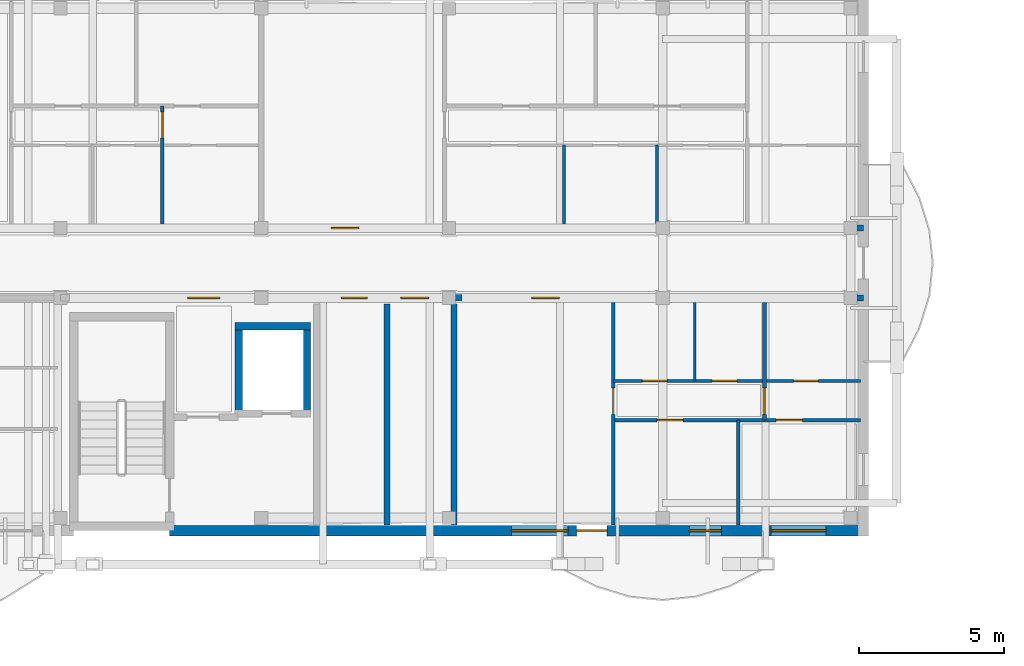
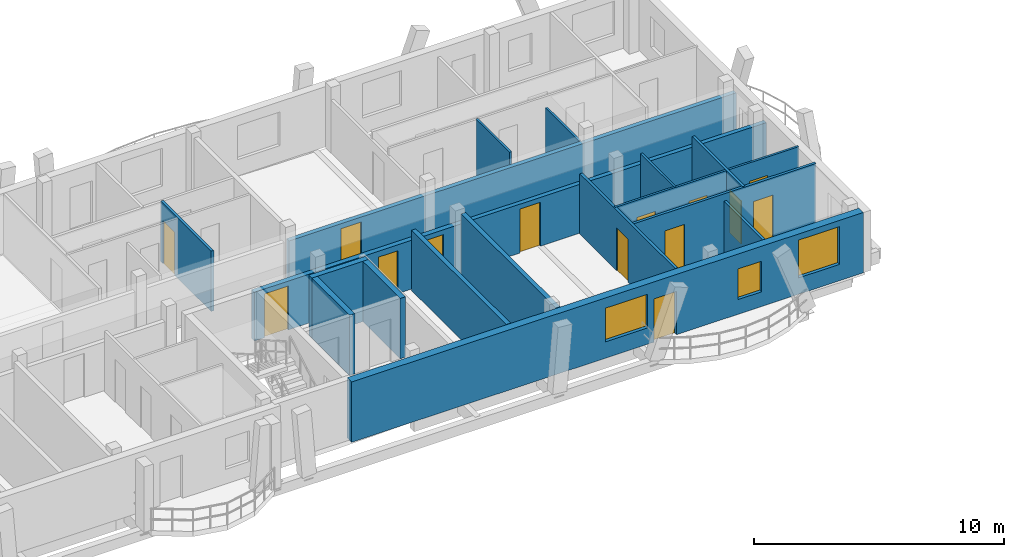
# One storey, part 24 of 48: 18 walls, 14 doors, 3 windows, 17 openings.
"""IFC4 building model written with IfcOpenShell, lengths in metres."""

import ifcopenshell
import ifcopenshell.guid

model = None  # the IFC model being written
_history = None  # IfcOwnerHistory: only IFC2X3 demands one
_inside = {}  # id of a spatial element -> (the spatial element, [elements in it])
_under = {}  # id of a project, library or spatial element -> (it, [spatial elements below it])
_declared = {}  # id of a project -> (the project, [libraries it declares])
_typed = {}  # id of a type object -> (the type object, [elements of that type])
_made_of = {}  # id of a material, layer set ... -> (it, [elements and type objects made of it])


def new_model(schema):
    """Start an empty IFC model of exactly this schema.

    Asked for "IFC4X3", IfcOpenShell would pick the latest addendum, in which some entities
    have other attributes; the version numbers below select the first issue.
    IFC2X3 requires an IfcOwnerHistory on every rooted entity: one is made here for all.
    """
    global model, _history
    if schema == "IFC4X3":
        model = ifcopenshell.file(schema_version=(4, 3, 0, 0))
    else:
        model = ifcopenshell.file(schema=schema)
    _inside.clear()
    _under.clear()
    _declared.clear()
    _typed.clear()
    _made_of.clear()
    _history = None
    if model.schema == "IFC2X3":
        org = make("IfcOrganization", Name="unknown")
        user = make(
            "IfcPersonAndOrganization",
            ThePerson=make("IfcPerson", FamilyName="unknown"),
            TheOrganization=org,
        )
        app = make(
            "IfcApplication",
            ApplicationDeveloper=org,
            Version="unknown",
            ApplicationFullName="unknown",
            ApplicationIdentifier="unknown",
        )
        _history = make(
            "IfcOwnerHistory",
            OwningUser=user,
            OwningApplication=app,
            ChangeAction="ADDED",
            CreationDate=0,
        )
    return model


def make(cls, **values):
    """One entity of the class cls with the attributes given. An attribute that is None is left unset."""
    return model.create_entity(
        cls, **{name: value for name, value in values.items() if value is not None}
    )


def rooted(cls, **values):
    """An entity with a GlobalId (a new one), such as an element, a storey or a relation."""
    return make(cls, GlobalId=ifcopenshell.guid.new(), OwnerHistory=_history, **values)


def si_unit(unit_type, name, prefix=None):
    """IfcSIUnit, for example si_unit("LENGTHUNIT", "METRE", prefix="MILLI")."""
    return make("IfcSIUnit", UnitType=unit_type, Prefix=prefix, Name=name)


def assignment(units):
    """IfcUnitAssignment: the units of a project."""
    return None if units is None else make("IfcUnitAssignment", Units=units)


def point(xyz):
    """IfcCartesianPoint."""
    return None if xyz is None else make("IfcCartesianPoint", Coordinates=xyz)


def direction(xyz):
    """IfcDirection."""
    return None if xyz is None else make("IfcDirection", DirectionRatios=xyz)


def frame(location, z_axis=None, x_axis=None):
    """IfcAxis2Placement3D, a coordinate frame: its origin and axes. An axis left out is left unset."""
    return make(
        "IfcAxis2Placement3D",
        Location=point(location),
        Axis=direction(z_axis),
        RefDirection=direction(x_axis),
    )


def frame_2d(location, x_axis=None):
    """IfcAxis2Placement2D, a coordinate frame in the plane: its origin and x axis."""
    return make(
        "IfcAxis2Placement2D", Location=point(location), RefDirection=direction(x_axis)
    )


def origin():
    """The frame at (0, 0, 0) with its axes left unset."""
    return frame((0.0, 0.0, 0.0))


def origin_with_axes():
    """The frame at (0, 0, 0) with the z axis (0, 0, 1) and the x axis (1, 0, 0) written out."""
    return frame((0.0, 0.0, 0.0), z_axis=(0.0, 0.0, 1.0), x_axis=(1.0, 0.0, 0.0))


def place(relative_to, where):
    """IfcLocalPlacement: puts the frame where relative to a parent placement (None: the world)."""
    return make(
        "IfcLocalPlacement", PlacementRelTo=relative_to, RelativePlacement=where
    )


def context(
    kind, dimensions, precision=None, world=None, true_north=None, identifier=None
):
    """IfcGeometricRepresentationContext, for example the 3D "Model" context."""
    return make(
        "IfcGeometricRepresentationContext",
        ContextIdentifier=identifier,
        ContextType=kind,
        CoordinateSpaceDimension=dimensions,
        Precision=precision,
        WorldCoordinateSystem=world,
        TrueNorth=true_north,
    )


def subcontext(parent, identifier, kind, view, scale=None):
    """IfcGeometricRepresentationSubContext, for example "Body" below "Model"."""
    return make(
        "IfcGeometricRepresentationSubContext",
        ContextIdentifier=identifier,
        ContextType=kind,
        ParentContext=parent,
        TargetScale=scale,
        TargetView=view,
    )


def project(units=None, contexts=None):
    """IfcProject with its units and contexts."""
    return rooted(
        "IfcProject",
        Name="project",
        RepresentationContexts=contexts,
        UnitsInContext=assignment(units),
    )


def spatial(cls, under=None, at=None, **own):
    """A site, building, storey or space (cls), placed at a placement, below another one or the project."""
    s = rooted(cls, ObjectPlacement=at, **own)
    if under is not None:
        _under.setdefault(under.id(), (under, []))[1].append(s)
    return s


def profile(cls, at=None, kind="AREA", **sizes):
    """A parametric profile (cls). Its sizes go by their IFC names, for example OverallWidth=200.0."""
    return make(cls, ProfileType=kind, Position=at, **sizes)


def rectangle(**sizes):
    """IfcRectangleProfileDef."""
    return profile("IfcRectangleProfileDef", **sizes)


def extrude(swept, where, along, depth):
    """IfcExtrudedAreaSolid: the profile swept, set in the frame where, extruded along a direction by depth."""
    return make(
        "IfcExtrudedAreaSolid",
        SweptArea=swept,
        Position=where,
        ExtrudedDirection=direction(along),
        Depth=depth,
    )


def shape(context_of_items, identifier, shape_type, items):
    """IfcShapeRepresentation: the items that make up one representation, for example the "Body"."""
    return make(
        "IfcShapeRepresentation",
        ContextOfItems=context_of_items,
        RepresentationIdentifier=identifier,
        RepresentationType=shape_type,
        Items=items,
    )


def material(Name=None, Category=None):
    """IfcMaterial."""
    return make("IfcMaterial", Name=Name, Category=Category)


def layer(
    of_material, thickness, ventilated=None, Name=None, Category=None, Priority=None
):
    """IfcMaterialLayer: one layer of a wall or slab, of a material (None: an air gap)."""
    return make(
        "IfcMaterialLayer",
        Material=of_material,
        LayerThickness=thickness,
        IsVentilated=ventilated,
        Name=Name,
        Category=Category,
        Priority=Priority,
    )


def layer_set(layers, Name=None):
    """IfcMaterialLayerSet."""
    return make("IfcMaterialLayerSet", MaterialLayers=layers, LayerSetName=Name)


def made_of(thing, what):
    """Note that an element or type object is made of a material, layer set ...; save() writes the relation."""
    if what is not None:
        _made_of.setdefault(what.id(), (what, []))[1].append(thing)
    return thing


def type_object(cls, material=None, **own):
    """A type object (cls), such as IfcWallType, which elements share."""
    return made_of(rooted(cls, **own), material)


def element(
    cls,
    number,
    at=None,
    inside=None,
    cuts=None,
    type_object=None,
    material=None,
    context=None,
    identifier="Body",
    shape_type=None,
    held_by="IfcProductDefinitionShape",
    body=None,
    shapes=None,
    **own,
):
    """One element of the class cls, such as IfcWall. Its Tag is "e" and its number.

    at: its placement. inside: the storey or other place that contains it. cuts: it is an
    opening in that element (IfcRelVoidsElement). A single representation is given by context,
    identifier, shape_type and body (its items); several are given by shapes. held_by: the class
    of the entity that holds the representations. save() writes the other relations.
    """
    e = rooted(cls, Tag="e%d" % number, ObjectPlacement=at, **own)
    if body is not None:
        shapes = [shape(context, identifier, shape_type, body)]
    if shapes is not None:
        e.Representation = make(held_by, Representations=shapes)
    if inside is not None:
        _inside.setdefault(inside.id(), (inside, []))[1].append(e)
    if cuts is not None:
        rooted(
            "IfcRelVoidsElement", RelatingBuildingElement=cuts, RelatedOpeningElement=e
        )
    if type_object is not None:
        _typed.setdefault(type_object.id(), (type_object, []))[1].append(e)
    return made_of(e, material)


def fill(opening, filler):
    """IfcRelFillsElement: the door or window that sits in an opening."""
    return rooted(
        "IfcRelFillsElement",
        RelatingOpeningElement=opening,
        RelatedBuildingElement=filler,
    )


def aggregate(whole, parts):
    """IfcRelAggregates: a whole, such as a stair, and the parts it consists of."""
    return rooted("IfcRelAggregates", RelatingObject=whole, RelatedObjects=parts)


def save(model, path):
    """Write the relations noted so far, then the file.

    IfcRelAggregates (storeys below a building ...), IfcRelContainedInSpatialStructure (elements
    in a storey), IfcRelDefinesByType, IfcRelAssociatesMaterial and IfcRelDeclares: one each for
    every whole, place, type object, material and project.
    """
    for whole, parts in _under.values():
        aggregate(whole, parts)
    for where, things in _inside.values():
        rooted(
            "IfcRelContainedInSpatialStructure",
            RelatedElements=things,
            RelatingStructure=where,
        )
    for kind, things in _typed.values():
        rooted("IfcRelDefinesByType", RelatedObjects=things, RelatingType=kind)
    for what, things in _made_of.values():
        rooted("IfcRelAssociatesMaterial", RelatedObjects=things, RelatingMaterial=what)
    for by, libraries in _declared.values():
        rooted("IfcRelDeclares", RelatingContext=by, RelatedDefinitions=libraries)
    model.write(path)


model = new_model("IFC4")

# Units and contexts
model_context = context("Model", 3, precision=1e-05, world=origin(), true_north=direction((0.0, 1.0)))
body_context = subcontext(model_context, "Body", "Model", "MODEL_VIEW")
ifc_project = project(units=[si_unit("LENGTHUNIT", "METRE"), si_unit("AREAUNIT", "SQUARE_METRE"), si_unit("VOLUMEUNIT", "CUBIC_METRE"), si_unit("PLANEANGLEUNIT", "RADIAN"), si_unit("MASSUNIT", "GRAM", prefix="KILO")], contexts=[model_context])

# Site, building, storey
site_placement = place(None, origin())
site = spatial("IfcSite", under=ifc_project, at=site_placement, CompositionType="ELEMENT")
building_placement = place(site_placement, origin())
building = spatial("IfcBuilding", under=site, at=building_placement, Name="Zavelmont Quarter", CompositionType="ELEMENT")
storey_placement = place(building_placement, frame((0.0, 0.0, 17.60009765625)))
storey = spatial("IfcBuildingStorey", under=building, at=storey_placement, Name="L05", CompositionType="ELEMENT", Elevation=17.60009765625)

# Wall, openings, door, windows
ifc_material_1 = material(Name="Natural Belgian limestone", Category="masonry")
ifc_layer_1 = layer(ifc_material_1, 0.360107421875)
ifc_layer_set_1 = layer_set([ifc_layer_1], Name="Natural Belgian limestone")
wall_type_1 = type_object("IfcWallType", Name="EW02", PredefinedType="STANDARD", material=ifc_layer_set_1)
wall_1_placement = place(storey_placement, frame((31.35009765625, 97.60009765625, 0.0), z_axis=(0.0, 0.0, 1.0), x_axis=(1.0, 0.0, 0.0)))
wall_1 = element("IfcWall", 1, at=wall_1_placement, inside=storey, type_object=wall_type_1, Name="L05 exterior limestone wall EW02", PredefinedType="STANDARD", context=body_context, shape_type="SweptSolid", body=[
    extrude(rectangle(XDim=23.679931640625, YDim=0.360107421875, at=frame_2d((11.83984375, 0.0))), origin(), (0.0, 0.0, 1.0), 2.949951171875),
])
opening_1_placement = place(wall_1_placement, frame((13.986328125, 0.0, 0.0)))
opening_1 = element("IfcOpeningElement", 2, at=opening_1_placement, cuts=wall_1, Name="Opening DR04A", PredefinedType="OPENING", context=body_context, shape_type="SweptSolid", body=[
    extrude(rectangle(XDim=1.050048828125, YDim=2.1201171875, at=frame_2d((0.52490234375, 1.06005859375))), frame((0.0, 0.19189453125, 0.0), z_axis=(0.0, -1.0, 0.0), x_axis=(1.0, 0.0, 0.0)), (0.0, 0.0, 1.0), 0.384033203125),
])
opening_2_placement = place(wall_1_placement, frame((11.7451171875, 0.0, 0.800048828125)))
opening_2 = element("IfcOpeningElement", 3, at=opening_2_placement, cuts=wall_1, Name="Opening WN24", PredefinedType="OPENING", context=body_context, shape_type="SweptSolid", body=[
    extrude(rectangle(XDim=1.949951171875, YDim=1.64990234375, at=frame_2d((0.97509765625, 0.824951171875))), frame((0.0, 0.19189453125, 0.0), z_axis=(0.0, -1.0, 0.0), x_axis=(1.0, 0.0, 0.0)), (0.0, 0.0, 1.0), 0.384033203125),
])
opening_3_placement = place(wall_1_placement, frame((17.8701171875, 0.0, 0.719970703125)))
opening_3 = element("IfcOpeningElement", 4, at=opening_3_placement, cuts=wall_1, Name="Opening WN09", PredefinedType="OPENING", context=body_context, shape_type="SweptSolid", body=[
    extrude(rectangle(XDim=1.10009765625, YDim=1.5, at=frame_2d((0.550048828125, 0.75))), frame((0.0, 0.19189453125, 0.0), z_axis=(0.0, -1.0, 0.0), x_axis=(1.0, 0.0, 0.0)), (0.0, 0.0, 1.0), 0.384033203125),
])
opening_4_placement = place(wall_1_placement, frame((20.669921875, 0.0, 0.800048828125)))
opening_4 = element("IfcOpeningElement", 5, at=opening_4_placement, cuts=wall_1, Name="Opening WN20", PredefinedType="OPENING", context=body_context, shape_type="SweptSolid", body=[
    extrude(rectangle(XDim=1.89990234375, YDim=1.85009765625, at=frame_2d((0.949951171875, 0.925048828125))), frame((0.0, 0.19189453125, 0.0), z_axis=(0.0, -1.0, 0.0), x_axis=(1.0, 0.0, 0.0)), (0.0, 0.0, 1.0), 0.384033203125),
])
ifc_material_2 = material(Name="Thermally broken aluminium and double safety glass", Category="aluminium")
door_type_1 = type_object("IfcDoorType", Name="DR04A", OperationType="NOTDEFINED", PredefinedType="DOOR", material=ifc_material_2)
door_1_placement = place(opening_1_placement, origin_with_axes())
door_1 = element("IfcDoor", 6, at=door_1_placement, inside=storey, type_object=door_type_1, Name="Block B L05 glazed balcony door", OperationType="SINGLE_SWING_RIGHT", OverallHeight=2.1201171875, OverallWidth=1.050048828125, PredefinedType="DOOR", context=body_context, shape_type="SweptSolid", body=[
    extrude(rectangle(XDim=1.050048828125, YDim=2.1201171875, at=frame_2d((0.52490234375, 1.06005859375))), frame((0.0, 0.02490234375, 0.0), z_axis=(0.0, -1.0, 0.0), x_axis=(1.0, 0.0, 0.0)), (0.0, 0.0, 1.0), 0.050048828125),
])
fill(opening_1, door_1)
ifc_material_3 = material(Name="Double low-E insulated glazing in thermally broken aluminium frame", Category="aluminium")
window_type_1 = type_object("IfcWindowType", Name="WN09", PartitioningType="SINGLE_PANEL", PredefinedType="WINDOW", material=ifc_material_3)
window_1_placement = place(opening_3_placement, origin_with_axes())
window_1 = element("IfcWindow", 7, at=window_1_placement, inside=storey, type_object=window_type_1, Name="L05 window WN09", OverallHeight=1.5, OverallWidth=1.10009765625, PartitioningType="SINGLE_PANEL", PredefinedType="WINDOW", context=body_context, shape_type="SweptSolid", body=[
    extrude(rectangle(XDim=1.10009765625, YDim=1.5, at=frame_2d((0.550048828125, 0.75))), frame((0.0, 0.030029296875, 0.0), z_axis=(0.0, -1.0, 0.0), x_axis=(1.0, 0.0, 0.0)), (0.0, 0.0, 1.0), 0.06005859375),
])
fill(opening_3, window_1)
window_type_2 = type_object("IfcWindowType", Name="WN20", PartitioningType="SINGLE_PANEL", PredefinedType="WINDOW", material=ifc_material_3)
window_2_placement = place(opening_4_placement, origin_with_axes())
window_2 = element("IfcWindow", 8, at=window_2_placement, inside=storey, type_object=window_type_2, Name="L05 window WN20", OverallHeight=1.85009765625, OverallWidth=1.89990234375, PartitioningType="SINGLE_PANEL", PredefinedType="WINDOW", context=body_context, shape_type="SweptSolid", body=[
    extrude(rectangle(XDim=1.89990234375, YDim=1.85009765625, at=frame_2d((0.949951171875, 0.925048828125))), frame((0.0, 0.030029296875, 0.0), z_axis=(0.0, -1.0, 0.0), x_axis=(1.0, 0.0, 0.0)), (0.0, 0.0, 1.0), 0.06005859375),
])
fill(opening_4, window_2)
window_type_3 = type_object("IfcWindowType", Name="WN24", PartitioningType="SINGLE_PANEL", PredefinedType="WINDOW", material=ifc_material_3)
window_3_placement = place(opening_2_placement, origin_with_axes())
window_3 = element("IfcWindow", 9, at=window_3_placement, inside=storey, type_object=window_type_3, Name="L05 window WN24", OverallHeight=1.64990234375, OverallWidth=1.949951171875, PartitioningType="SINGLE_PANEL", PredefinedType="WINDOW", context=body_context, shape_type="SweptSolid", body=[
    extrude(rectangle(XDim=1.949951171875, YDim=1.64990234375, at=frame_2d((0.97509765625, 0.824951171875))), frame((0.0, 0.030029296875, 0.0), z_axis=(0.0, -1.0, 0.0), x_axis=(1.0, 0.0, 0.0)), (0.0, 0.0, 1.0), 0.06005859375),
])
fill(opening_2, window_3)

# Walls
ifc_material_4 = material(Name="Calcium-silicate blockwork and acoustic plaster", Category="masonry")
ifc_layer_2 = layer(ifc_material_4, 0.199951171875)
ifc_layer_set_2 = layer_set([ifc_layer_2], Name="Calcium-silicate blockwork and acoustic plaster")
wall_type_2 = type_object("IfcWallType", Name="IW01", PredefinedType="PARTITIONING", material=ifc_layer_set_2)
for number, where, z_axis, x_axis, name in (
    (10, (38.824951171875, 97.800048828125, 0.0), (0.0, 0.0, 1.0), (0.0, 1.0, 0.0), "L05 Service riser divider wall IW01"),
    (11, (41.1201171875, 97.800048828125, 0.0), (0.0, 0.0, 1.0), (0.0, 1.0, 0.0), "L05 Core service end wall IW01"),
):
    element("IfcWall", number, at=place(storey_placement, frame(where, z_axis=z_axis, x_axis=x_axis)), inside=storey, type_object=wall_type_2, Name=name, PredefinedType="PARTITIONING", context=body_context, shape_type="SweptSolid", body=[
        extrude(rectangle(XDim=7.599853515625, YDim=0.199951171875, at=frame_2d((3.7998046875, 0.0))), origin(), (0.0, 0.0, 1.0), 2.949951171875),
    ])

# Wall, opening, door
wall_2_placement = place(storey_placement, frame((34.5, 108.0, 0.0), z_axis=(0.0, 0.0, 1.0), x_axis=(1.0, 0.0, 0.0)))
wall_2 = element("IfcWall", 12, at=wall_2_placement, inside=storey, type_object=wall_type_2, Name="L05 Corridor compartment wall IW01", PredefinedType="PARTITIONING", context=body_context, shape_type="SweptSolid", body=[
    extrude(rectangle(XDim=20.699951171875, YDim=0.199951171875, at=frame_2d((10.35009765625, 0.0))), origin(), (0.0, 0.0, 1.0), 2.389892578125),
])
opening_5_placement = place(wall_2_placement, frame((2.39990234375, 0.0, 0.0)))
opening_5 = element("IfcOpeningElement", 13, at=opening_5_placement, cuts=wall_2, Name="Opening DR02", PredefinedType="OPENING", context=body_context, shape_type="SweptSolid", body=[
    extrude(rectangle(XDim=0.949951171875, YDim=2.14990234375, at=frame_2d((0.47509765625, 1.074951171875))), frame((0.0, 0.11181640625, 0.0), z_axis=(0.0, -1.0, 0.0), x_axis=(1.0, 0.0, 0.0)), (0.0, 0.0, 1.0), 0.223876953125),
])
ifc_material_5 = material(Name="Solid-core oak fire leaf in steel frame", Category="steel")
door_type_2 = type_object("IfcDoorType", Name="DR02", OperationType="NOTDEFINED", PredefinedType="DOOR", material=ifc_material_5)
door_2_placement = place(opening_5_placement, origin_with_axes())
door_2 = element("IfcDoor", 14, at=door_2_placement, inside=storey, type_object=door_type_2, Name="L05 door DR02", OperationType="SINGLE_SWING_RIGHT", OverallHeight=2.14990234375, OverallWidth=0.949951171875, PredefinedType="DOOR", context=body_context, shape_type="SweptSolid", body=[
    extrude(rectangle(XDim=0.949951171875, YDim=2.14990234375, at=frame_2d((0.47509765625, 1.074951171875))), frame((0.0, 0.02490234375, 0.0), z_axis=(0.0, -1.0, 0.0), x_axis=(1.0, 0.0, 0.0)), (0.0, 0.0, 1.0), 0.050048828125),
])
fill(opening_5, door_2)

wall_3_placement = place(storey_placement, frame((41.39990234375, 105.60009765625, 0.0), z_axis=(0.0, 0.0, 1.0), x_axis=(1.0, 0.0, 0.0)))
wall_3 = element("IfcWall", 15, at=wall_3_placement, inside=storey, type_object=wall_type_2, Name="L05 Corridor compartment wall IW01", PredefinedType="PARTITIONING", context=body_context, shape_type="SweptSolid", body=[
    extrude(rectangle(XDim=13.800048828125, YDim=0.199951171875, at=frame_2d((6.89990234375, 0.0))), origin(), (0.0, 0.0, 1.0), 2.389892578125),
])
opening_6_placement = place(wall_3_placement, frame((2.39990234375, 0.0, 0.0)))
opening_6 = element("IfcOpeningElement", 16, at=opening_6_placement, cuts=wall_3, Name="Opening DR02", PredefinedType="OPENING", context=body_context, shape_type="SweptSolid", body=[
    extrude(rectangle(XDim=0.949951171875, YDim=2.14990234375, at=frame_2d((0.47509765625, 1.074951171875))), frame((0.0, 0.11181640625, 0.0), z_axis=(0.0, -1.0, 0.0), x_axis=(1.0, 0.0, 0.0)), (0.0, 0.0, 1.0), 0.223876953125),
])
door_3_placement = place(opening_6_placement, frame((0.949951171875, 0.0, 0.0), z_axis=(0.0, 0.0, 1.0), x_axis=(-1.0, 0.0, 0.0)))
door_3 = element("IfcDoor", 17, at=door_3_placement, inside=storey, type_object=door_type_2, Name="L05 door DR02", OperationType="SINGLE_SWING_RIGHT", OverallHeight=2.14990234375, OverallWidth=0.949951171875, PredefinedType="DOOR", context=body_context, shape_type="SweptSolid", body=[
    extrude(rectangle(XDim=0.949951171875, YDim=2.14990234375, at=frame_2d((0.47509765625, 1.074951171875))), frame((0.0, 0.02490234375, 0.0), z_axis=(0.0, -1.0, 0.0), x_axis=(1.0, 0.0, 0.0)), (0.0, 0.0, 1.0), 0.050048828125),
])
fill(opening_6, door_3)

# Wall, openings, doors
ifc_material_6 = material(Name="Reinforced masonry fire compartment wall", Category="masonry")
ifc_layer_3 = layer(ifc_material_6, 0.22509765625)
ifc_layer_set_3 = layer_set([ifc_layer_3], Name="Reinforced masonry fire compartment wall")
wall_type_3 = type_object("IfcWallType", Name="IW02", PredefinedType="PARTITIONING", material=ifc_layer_set_3)
wall_4_placement = place(storey_placement, frame((31.5, 105.60009765625, 0.0), z_axis=(0.0, 0.0, 1.0), x_axis=(1.0, 0.0, 0.0)))
wall_4 = element("IfcWall", 18, at=wall_4_placement, inside=storey, type_object=wall_type_3, Name="L05 Core corridor fire wall IW02", PredefinedType="PARTITIONING", context=body_context, shape_type="SweptSolid", body=[
    extrude(rectangle(XDim=9.89990234375, YDim=0.22509765625, at=frame_2d((4.949951171875, 0.0))), origin(), (0.0, 0.0, 1.0), 2.389892578125),
])
opening_7_placement = place(wall_4_placement, frame((0.47509765625, 0.0, 0.0)))
opening_7 = element("IfcOpeningElement", 19, at=opening_7_placement, cuts=wall_4, Name="Opening DR10", PredefinedType="OPENING", context=body_context, shape_type="SweptSolid", body=[
    extrude(rectangle(XDim=1.10009765625, YDim=2.14990234375, at=frame_2d((0.550048828125, 1.074951171875))), frame((0.0, 0.12451171875, 0.0), z_axis=(0.0, -1.0, 0.0), x_axis=(1.0, 0.0, 0.0)), (0.0, 0.0, 1.0), 0.2490234375),
])
opening_8_placement = place(wall_4_placement, frame((5.75, 0.0, 0.0)))
opening_8 = element("IfcOpeningElement", 20, at=opening_8_placement, cuts=wall_4, Name="Opening DR11", PredefinedType="OPENING", context=body_context, shape_type="SweptSolid", body=[
    extrude(rectangle(XDim=0.89990234375, YDim=2.10009765625, at=frame_2d((0.449951171875, 1.050048828125))), frame((0.0, 0.12451171875, 0.0), z_axis=(0.0, -1.0, 0.0), x_axis=(1.0, 0.0, 0.0)), (0.0, 0.0, 1.0), 0.2490234375),
])
opening_9_placement = place(wall_4_placement, frame((7.800048828125, 0.0, 0.0)))
opening_9 = element("IfcOpeningElement", 21, at=opening_9_placement, cuts=wall_4, Name="Opening DR02", PredefinedType="OPENING", context=body_context, shape_type="SweptSolid", body=[
    extrude(rectangle(XDim=0.949951171875, YDim=2.14990234375, at=frame_2d((0.47509765625, 1.074951171875))), frame((0.0, 0.12451171875, 0.0), z_axis=(0.0, -1.0, 0.0), x_axis=(1.0, 0.0, 0.0)), (0.0, 0.0, 1.0), 0.2490234375),
])
door_4_placement = place(opening_9_placement, origin_with_axes())
door_4 = element("IfcDoor", 22, at=door_4_placement, inside=storey, type_object=door_type_2, Name="Auxiliary store corridor door", OperationType="SINGLE_SWING_RIGHT", OverallHeight=2.14990234375, OverallWidth=0.949951171875, PredefinedType="DOOR", context=body_context, shape_type="SweptSolid", body=[
    extrude(rectangle(XDim=0.949951171875, YDim=2.14990234375, at=frame_2d((0.47509765625, 1.074951171875))), frame((0.0, 0.02490234375, 0.0), z_axis=(0.0, -1.0, 0.0), x_axis=(1.0, 0.0, 0.0)), (0.0, 0.0, 1.0), 0.050048828125),
])
fill(opening_9, door_4)
ifc_material_7 = material(Name="Painted steel lobby fire door", Category="steel")
door_type_3 = type_object("IfcDoorType", Name="DR10", OperationType="NOTDEFINED", PredefinedType="DOOR", material=ifc_material_7)
door_5_placement = place(opening_7_placement, frame((1.10009765625, 0.0, 0.0), z_axis=(0.0, 0.0, 1.0), x_axis=(-1.0, 0.0, 0.0)))
door_5 = element("IfcDoor", 23, at=door_5_placement, inside=storey, type_object=door_type_3, Name="Core vestibule fire door", OperationType="SINGLE_SWING_LEFT", OverallHeight=2.14990234375, OverallWidth=1.10009765625, PredefinedType="DOOR", context=body_context, shape_type="SweptSolid", body=[
    extrude(rectangle(XDim=1.10009765625, YDim=2.14990234375, at=frame_2d((0.550048828125, 1.074951171875))), frame((0.0, 0.02490234375, 0.0), z_axis=(0.0, -1.0, 0.0), x_axis=(1.0, 0.0, 0.0)), (0.0, 0.0, 1.0), 0.050048828125),
])
fill(opening_7, door_5)
ifc_material_8 = material(Name="Painted steel service-riser fire door", Category="steel")
door_type_4 = type_object("IfcDoorType", Name="DR11", OperationType="NOTDEFINED", PredefinedType="DOOR", material=ifc_material_8)
door_6_placement = place(opening_8_placement, origin_with_axes())
door_6 = element("IfcDoor", 24, at=door_6_placement, inside=storey, type_object=door_type_4, Name="Service riser fire door", OperationType="SINGLE_SWING_LEFT", OverallHeight=2.10009765625, OverallWidth=0.89990234375, PredefinedType="DOOR", context=body_context, shape_type="SweptSolid", body=[
    extrude(rectangle(XDim=0.89990234375, YDim=2.10009765625, at=frame_2d((0.449951171875, 1.050048828125))), frame((0.0, 0.02490234375, 0.0), z_axis=(0.0, -1.0, 0.0), x_axis=(1.0, 0.0, 0.0)), (0.0, 0.0, 1.0), 0.050048828125),
])
fill(opening_8, door_6)

# Wall, opening, door
ifc_material_9 = material(Name="Double gypsum board on acoustic steel stud", Category="steel")
ifc_layer_4 = layer(ifc_material_9, 0.125)
ifc_layer_set_4 = layer_set([ifc_layer_4], Name="Double gypsum board on acoustic steel stud")
wall_type_4 = type_object("IfcWallType", Name="IW03", PredefinedType="PARTITIONING", material=ifc_layer_set_4)
wall_5_placement = place(storey_placement, frame((31.10009765625, 108.14990234375, 0.0), z_axis=(0.0, 0.0, 1.0), x_axis=(0.0, 1.0, 0.0)))
wall_5 = element("IfcWall", 25, at=wall_5_placement, inside=storey, type_object=wall_type_4, Name="L05 Partition IW03", PredefinedType="PARTITIONING", context=body_context, shape_type="SweptSolid", body=[
    extrude(rectangle(XDim=4.050048828125, YDim=0.125, at=frame_2d((2.02490234375, 0.0))), origin(), (0.0, 0.0, 1.0), 2.949951171875),
])
opening_10_placement = place(wall_5_placement, frame((2.949951171875, 0.0, 0.0)))
opening_10 = element("IfcOpeningElement", 26, at=opening_10_placement, cuts=wall_5, Name="Opening DR05", PredefinedType="OPENING", context=body_context, shape_type="SweptSolid", body=[
    extrude(rectangle(XDim=0.89990234375, YDim=2.10009765625, at=frame_2d((0.449951171875, 1.050048828125))), frame((0.0, 0.074462890625, 0.0), z_axis=(0.0, -1.0, 0.0), x_axis=(1.0, 0.0, 0.0)), (0.0, 0.0, 1.0), 0.14892578125),
])
ifc_material_10 = material(Name="Engineered oak flush interior door")
door_type_5 = type_object("IfcDoorType", Name="DR05", OperationType="NOTDEFINED", PredefinedType="DOOR", material=ifc_material_10)
door_7_placement = place(opening_10_placement, origin_with_axes())
door_7 = element("IfcDoor", 27, at=door_7_placement, inside=storey, type_object=door_type_5, Name="L05 door DR05", OperationType="SINGLE_SWING_RIGHT", OverallHeight=2.10009765625, OverallWidth=0.89990234375, PredefinedType="DOOR", context=body_context, shape_type="SweptSolid", body=[
    extrude(rectangle(XDim=0.89990234375, YDim=2.10009765625, at=frame_2d((0.449951171875, 1.050048828125))), frame((0.0, 0.02490234375, 0.0), z_axis=(0.0, -1.0, 0.0), x_axis=(1.0, 0.0, 0.0)), (0.0, 0.0, 1.0), 0.050048828125),
])
fill(opening_10, door_7)

wall_6_placement = place(storey_placement, frame((46.60009765625, 105.449951171875, 0.0), z_axis=(0.0, 0.0, 1.0), x_axis=(0.0, -1.0, 0.0)))
wall_6 = element("IfcWall", 28, at=wall_6_placement, inside=storey, type_object=wall_type_4, Name="L05 Partition IW03", PredefinedType="PARTITIONING", context=body_context, shape_type="SweptSolid", body=[
    extrude(rectangle(XDim=7.64990234375, YDim=0.125, at=frame_2d((3.824951171875, 0.0))), origin(), (0.0, 0.0, 1.0), 2.949951171875),
])
opening_11_placement = place(wall_6_placement, frame((2.949951171875, 0.0, 0.0)))
opening_11 = element("IfcOpeningElement", 29, at=opening_11_placement, cuts=wall_6, Name="Opening DR05", PredefinedType="OPENING", context=body_context, shape_type="SweptSolid", body=[
    extrude(rectangle(XDim=0.89990234375, YDim=2.10009765625, at=frame_2d((0.449951171875, 1.050048828125))), frame((0.0, 0.074462890625, 0.0), z_axis=(0.0, -1.0, 0.0), x_axis=(1.0, 0.0, 0.0)), (0.0, 0.0, 1.0), 0.14892578125),
])
door_8_placement = place(opening_11_placement, origin_with_axes())
door_8 = element("IfcDoor", 30, at=door_8_placement, inside=storey, type_object=door_type_5, Name="L05 door DR05", OperationType="SINGLE_SWING_RIGHT", OverallHeight=2.10009765625, OverallWidth=0.89990234375, PredefinedType="DOOR", context=body_context, shape_type="SweptSolid", body=[
    extrude(rectangle(XDim=0.89990234375, YDim=2.10009765625, at=frame_2d((0.449951171875, 1.050048828125))), frame((0.0, 0.02490234375, 0.0), z_axis=(0.0, -1.0, 0.0), x_axis=(1.0, 0.0, 0.0)), (0.0, 0.0, 1.0), 0.050048828125),
])
fill(opening_11, door_8)

wall_7_placement = place(storey_placement, frame((51.800048828125, 105.449951171875, 0.0), z_axis=(0.0, 0.0, 1.0), x_axis=(0.0, -1.0, 0.0)))
wall_7 = element("IfcWall", 31, at=wall_7_placement, inside=storey, type_object=wall_type_4, Name="L05 Partition IW03", PredefinedType="PARTITIONING", context=body_context, shape_type="SweptSolid", body=[
    extrude(rectangle(XDim=4.050048828125, YDim=0.125, at=frame_2d((2.02490234375, 0.0))), origin(), (0.0, 0.0, 1.0), 2.949951171875),
])
opening_12_placement = place(wall_7_placement, frame((2.949951171875, 0.0, 0.0)))
opening_12 = element("IfcOpeningElement", 32, at=opening_12_placement, cuts=wall_7, Name="Opening DR05", PredefinedType="OPENING", context=body_context, shape_type="SweptSolid", body=[
    extrude(rectangle(XDim=0.89990234375, YDim=2.10009765625, at=frame_2d((0.449951171875, 1.050048828125))), frame((0.0, 0.074462890625, 0.0), z_axis=(0.0, -1.0, 0.0), x_axis=(1.0, 0.0, 0.0)), (0.0, 0.0, 1.0), 0.14892578125),
])
door_9_placement = place(opening_12_placement, frame((0.89990234375, 0.0, 0.0), z_axis=(0.0, 0.0, 1.0), x_axis=(-1.0, 0.0, 0.0)))
door_9 = element("IfcDoor", 33, at=door_9_placement, inside=storey, type_object=door_type_5, Name="L05 door DR05", OperationType="SINGLE_SWING_LEFT", OverallHeight=2.10009765625, OverallWidth=0.89990234375, PredefinedType="DOOR", context=body_context, shape_type="SweptSolid", body=[
    extrude(rectangle(XDim=0.89990234375, YDim=2.10009765625, at=frame_2d((0.449951171875, 1.050048828125))), frame((0.0, 0.02490234375, 0.0), z_axis=(0.0, -1.0, 0.0), x_axis=(1.0, 0.0, 0.0)), (0.0, 0.0, 1.0), 0.050048828125),
])
fill(opening_12, door_9)

# Wall
wall_8_placement = place(storey_placement, frame((50.89990234375, 101.39990234375, 0.0), z_axis=(0.0, 0.0, 1.0), x_axis=(0.0, -1.0, 0.0)))
element("IfcWall", 34, at=wall_8_placement, inside=storey, type_object=wall_type_4, Name="L05 Partition IW03", PredefinedType="PARTITIONING", context=body_context, shape_type="SweptSolid", body=[
    extrude(rectangle(XDim=3.599853515625, YDim=0.125, at=frame_2d((1.7998046875, 0.0))), origin(), (0.0, 0.0, 1.0), 2.58984375),
])

# Wall, openings, doors
wall_9_placement = place(storey_placement, frame((46.60009765625, 101.39990234375, 0.0), z_axis=(0.0, 0.0, 1.0), x_axis=(1.0, 0.0, 0.0)))
wall_9 = element("IfcWall", 35, at=wall_9_placement, inside=storey, type_object=wall_type_4, Name="L05 Partition IW03", PredefinedType="PARTITIONING", context=body_context, shape_type="SweptSolid", body=[
    extrude(rectangle(XDim=8.5, YDim=0.125, at=frame_2d((4.25, 0.0))), origin(), (0.0, 0.0, 1.0), 2.949951171875),
])
opening_13_placement = place(wall_9_placement, frame((1.5, 0.0, 0.0)))
opening_13 = element("IfcOpeningElement", 36, at=opening_13_placement, cuts=wall_9, Name="Opening DR05", PredefinedType="OPENING", context=body_context, shape_type="SweptSolid", body=[
    extrude(rectangle(XDim=0.89990234375, YDim=2.10009765625, at=frame_2d((0.449951171875, 1.050048828125))), frame((0.0, 0.074462890625, 0.0), z_axis=(0.0, -1.0, 0.0), x_axis=(1.0, 0.0, 0.0)), (0.0, 0.0, 1.0), 0.14892578125),
])
opening_14_placement = place(wall_9_placement, frame((5.60009765625, 0.0, 0.0)))
opening_14 = element("IfcOpeningElement", 37, at=opening_14_placement, cuts=wall_9, Name="Opening DR05", PredefinedType="OPENING", context=body_context, shape_type="SweptSolid", body=[
    extrude(rectangle(XDim=0.89990234375, YDim=2.10009765625, at=frame_2d((0.449951171875, 1.050048828125))), frame((0.0, 0.074462890625, 0.0), z_axis=(0.0, -1.0, 0.0), x_axis=(1.0, 0.0, 0.0)), (0.0, 0.0, 1.0), 0.14892578125),
])
door_10_placement = place(opening_13_placement, frame((0.89990234375, 0.0, 0.0), z_axis=(0.0, 0.0, 1.0), x_axis=(-1.0, 0.0, 0.0)))
door_10 = element("IfcDoor", 38, at=door_10_placement, inside=storey, type_object=door_type_5, Name="L05 door DR05", OperationType="SINGLE_SWING_LEFT", OverallHeight=2.10009765625, OverallWidth=0.89990234375, PredefinedType="DOOR", context=body_context, shape_type="SweptSolid", body=[
    extrude(rectangle(XDim=0.89990234375, YDim=2.10009765625, at=frame_2d((0.449951171875, 1.050048828125))), frame((0.0, 0.02490234375, 0.0), z_axis=(0.0, -1.0, 0.0), x_axis=(1.0, 0.0, 0.0)), (0.0, 0.0, 1.0), 0.050048828125),
])
fill(opening_13, door_10)
door_11_placement = place(opening_14_placement, origin_with_axes())
door_11 = element("IfcDoor", 39, at=door_11_placement, inside=storey, type_object=door_type_5, Name="L05 door DR05", OperationType="SINGLE_SWING_RIGHT", OverallHeight=2.10009765625, OverallWidth=0.89990234375, PredefinedType="DOOR", context=body_context, shape_type="SweptSolid", body=[
    extrude(rectangle(XDim=0.89990234375, YDim=2.10009765625, at=frame_2d((0.449951171875, 1.050048828125))), frame((0.0, 0.02490234375, 0.0), z_axis=(0.0, -1.0, 0.0), x_axis=(1.0, 0.0, 0.0)), (0.0, 0.0, 1.0), 0.050048828125),
])
fill(opening_14, door_11)

# Walls
ifc_material_11 = material(Name="Moisture-resistant gypsum board on steel stud", Category="steel")
ifc_layer_5 = layer(ifc_material_11, 0.10009765625)
ifc_layer_set_5 = layer_set([ifc_layer_5], Name="Moisture-resistant gypsum board on steel stud")
wall_type_5 = type_object("IfcWallType", Name="IW04", PredefinedType="PARTITIONING", material=ifc_layer_set_5)
wall_10_placement = place(storey_placement, frame((44.89990234375, 108.14990234375, 0.0), z_axis=(0.0, 0.0, 1.0), x_axis=(0.0, 1.0, 0.0)))
element("IfcWall", 40, at=wall_10_placement, inside=storey, type_object=wall_type_5, Name="L05 Partition IW04", PredefinedType="PARTITIONING", context=body_context, shape_type="SweptSolid", body=[
    extrude(rectangle(XDim=2.7001953125, YDim=0.10009765625, at=frame_2d((1.35009765625, 0.0))), origin(), (0.0, 0.0, 1.0), 2.949951171875),
])
wall_11_placement = place(storey_placement, frame((48.10009765625, 108.14990234375, 0.0), z_axis=(0.0, 0.0, 1.0), x_axis=(0.0, 1.0, 0.0)))
element("IfcWall", 41, at=wall_11_placement, inside=storey, type_object=wall_type_5, Name="L05 Partition IW04", PredefinedType="PARTITIONING", context=body_context, shape_type="SweptSolid", body=[
    extrude(rectangle(XDim=2.7001953125, YDim=0.10009765625, at=frame_2d((1.35009765625, 0.0))), origin(), (0.0, 0.0, 1.0), 2.389892578125),
])
wall_12_placement = place(storey_placement, frame((49.39990234375, 105.449951171875, 0.0), z_axis=(0.0, 0.0, 1.0), x_axis=(0.0, -1.0, 0.0)))
element("IfcWall", 42, at=wall_12_placement, inside=storey, type_object=wall_type_5, Name="L05 Partition IW04", PredefinedType="PARTITIONING", context=body_context, shape_type="SweptSolid", body=[
    extrude(rectangle(XDim=2.699951171875, YDim=0.10009765625, at=frame_2d((1.35009765625, 0.0))), origin(), (0.0, 0.0, 1.0), 2.949951171875),
])

# Wall, openings, doors
wall_13_placement = place(storey_placement, frame((46.60009765625, 102.75, 0.0), z_axis=(0.0, 0.0, 1.0), x_axis=(1.0, 0.0, 0.0)))
wall_13 = element("IfcWall", 43, at=wall_13_placement, inside=storey, type_object=wall_type_5, Name="L05 Partition IW04", PredefinedType="PARTITIONING", context=body_context, shape_type="SweptSolid", body=[
    extrude(rectangle(XDim=8.5, YDim=0.10009765625, at=frame_2d((4.25, 0.0))), origin(), (0.0, 0.0, 1.0), 2.949951171875),
])
opening_15_placement = place(wall_13_placement, frame((1.0, 0.0, 0.0)))
opening_15 = element("IfcOpeningElement", 44, at=opening_15_placement, cuts=wall_13, Name="Opening DR16", PredefinedType="OPENING", context=body_context, shape_type="SweptSolid", body=[
    extrude(rectangle(XDim=0.85009765625, YDim=2.10009765625, at=frame_2d((0.425048828125, 1.050048828125))), frame((0.0, 0.06201171875, 0.0), z_axis=(0.0, -1.0, 0.0), x_axis=(1.0, 0.0, 0.0)), (0.0, 0.0, 1.0), 0.1240234375),
])
opening_16_placement = place(wall_13_placement, frame((3.39990234375, 0.0, 0.0)))
opening_16 = element("IfcOpeningElement", 45, at=opening_16_placement, cuts=wall_13, Name="Opening DR06", PredefinedType="OPENING", context=body_context, shape_type="SweptSolid", body=[
    extrude(rectangle(XDim=0.85009765625, YDim=2.050048828125, at=frame_2d((0.425048828125, 1.02490234375))), frame((0.0, 0.06201171875, 0.0), z_axis=(0.0, -1.0, 0.0), x_axis=(1.0, 0.0, 0.0)), (0.0, 0.0, 1.0), 0.1240234375),
])
opening_17_placement = place(wall_13_placement, frame((6.199951171875, 0.0, 0.0)))
opening_17 = element("IfcOpeningElement", 46, at=opening_17_placement, cuts=wall_13, Name="Opening DR06", PredefinedType="OPENING", context=body_context, shape_type="SweptSolid", body=[
    extrude(rectangle(XDim=0.85009765625, YDim=2.050048828125, at=frame_2d((0.425048828125, 1.02490234375))), frame((0.0, 0.06201171875, 0.0), z_axis=(0.0, -1.0, 0.0), x_axis=(1.0, 0.0, 0.0)), (0.0, 0.0, 1.0), 0.1240234375),
])
ifc_material_12 = material(Name="Moisture-resistant painted wet-room door")
door_type_6 = type_object("IfcDoorType", Name="DR06", OperationType="NOTDEFINED", PredefinedType="DOOR", material=ifc_material_12)
door_12_placement = place(opening_16_placement, frame((0.85009765625, 0.0, 0.0), z_axis=(0.0, 0.0, 1.0), x_axis=(-1.0, 0.0, 0.0)))
door_12 = element("IfcDoor", 47, at=door_12_placement, inside=storey, type_object=door_type_6, Name="L05 door DR06", OperationType="SINGLE_SWING_LEFT", OverallHeight=2.050048828125, OverallWidth=0.85009765625, PredefinedType="DOOR", context=body_context, shape_type="SweptSolid", body=[
    extrude(rectangle(XDim=0.85009765625, YDim=2.050048828125, at=frame_2d((0.425048828125, 1.02490234375))), frame((0.0, 0.02490234375, 0.0), z_axis=(0.0, -1.0, 0.0), x_axis=(1.0, 0.0, 0.0)), (0.0, 0.0, 1.0), 0.050048828125),
])
fill(opening_16, door_12)
door_13_placement = place(opening_17_placement, origin_with_axes())
door_13 = element("IfcDoor", 48, at=door_13_placement, inside=storey, type_object=door_type_6, Name="L05 door DR06", OperationType="SINGLE_SWING_RIGHT", OverallHeight=2.050048828125, OverallWidth=0.85009765625, PredefinedType="DOOR", context=body_context, shape_type="SweptSolid", body=[
    extrude(rectangle(XDim=0.85009765625, YDim=2.050048828125, at=frame_2d((0.425048828125, 1.02490234375))), frame((0.0, 0.02490234375, 0.0), z_axis=(0.0, -1.0, 0.0), x_axis=(1.0, 0.0, 0.0)), (0.0, 0.0, 1.0), 0.050048828125),
])
fill(opening_17, door_13)
door_type_7 = type_object("IfcDoorType", Name="DR16", OperationType="NOTDEFINED", PredefinedType="DOOR", material=ifc_material_10)
door_14_placement = place(opening_15_placement, origin_with_axes())
door_14 = element("IfcDoor", 49, at=door_14_placement, inside=storey, type_object=door_type_7, Name="L05 door DR16", OperationType="SINGLE_SWING_RIGHT", OverallHeight=2.10009765625, OverallWidth=0.85009765625, PredefinedType="DOOR", context=body_context, shape_type="SweptSolid", body=[
    extrude(rectangle(XDim=0.85009765625, YDim=2.10009765625, at=frame_2d((0.425048828125, 1.050048828125))), frame((0.0, 0.02490234375, 0.0), z_axis=(0.0, -1.0, 0.0), x_axis=(1.0, 0.0, 0.0)), (0.0, 0.0, 1.0), 0.050048828125),
])
fill(opening_15, door_14)

# Walls
ifc_material_13 = material(Name="Concrete C40/50", Category="concrete")
ifc_layer_6 = layer(ifc_material_13, 0.25)
ifc_layer_set_6 = layer_set([ifc_layer_6], Name="Concrete C40/50")
wall_type_6 = type_object("IfcWallType", Name="SW02", PredefinedType="SHEAR", material=ifc_layer_set_6)
wall_14_placement = place(storey_placement, frame((33.60009765625, 104.625, 0.0), z_axis=(0.0, 0.0, 1.0), x_axis=(1.0, 0.0, 0.0)))
element("IfcWall", 50, at=wall_14_placement, inside=storey, type_object=wall_type_6, Name="L05 Lift LF04 back shaft wall SW02", PredefinedType="SHEAR", context=body_context, shape_type="SweptSolid", body=[
    extrude(rectangle(XDim=2.599853515625, YDim=0.25, at=frame_2d((1.2998046875, 0.0))), origin(), (0.0, 0.0, 1.0), 2.949951171875),
])
for number, where, z_axis, x_axis, name in (
    (51, (33.72509765625, 101.5, 0.0), (0.0, 0.0, 1.0), (0.0, 1.0, 0.0), "L05 Lift LF04 west shaft wall SW02"),
    (52, (36.074951171875, 101.5, 0.0), (0.0, 0.0, 1.0), (0.0, 1.0, 0.0), "L05 Lift LF04 east shaft wall SW02"),
):
    element("IfcWall", number, at=place(storey_placement, frame(where, z_axis=z_axis, x_axis=x_axis)), inside=storey, type_object=wall_type_6, Name=name, PredefinedType="SHEAR", context=body_context, shape_type="SweptSolid", body=[
        extrude(rectangle(XDim=3.25, YDim=0.25, at=frame_2d((1.625, 0.0))), origin(), (0.0, 0.0, 1.0), 2.949951171875),
    ])

save(model, "model.ifc")
